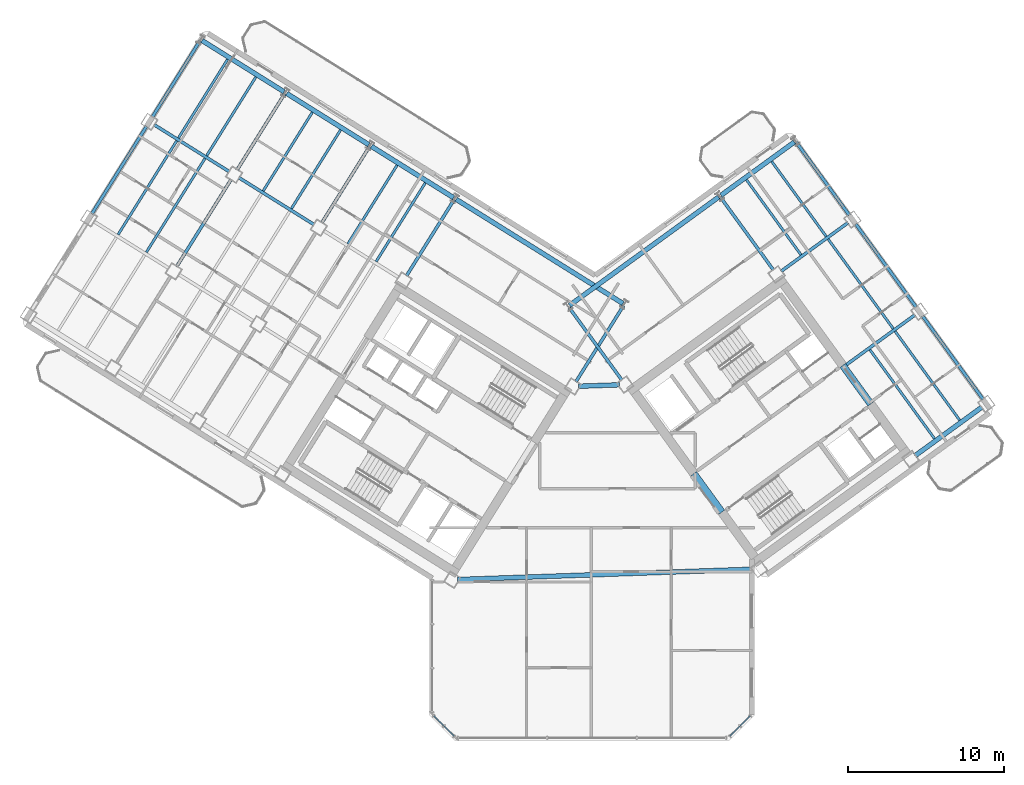
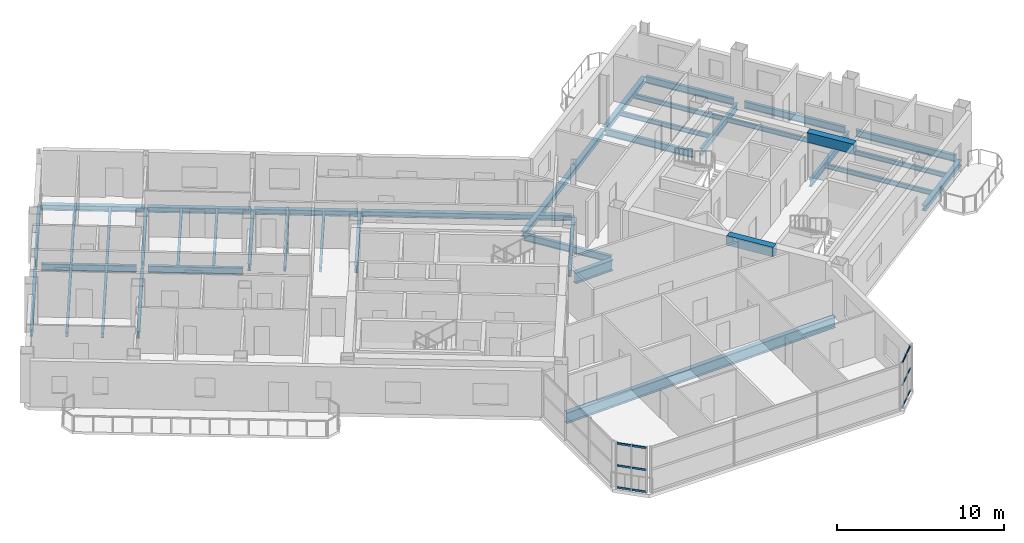
# One storey, part 7 of 20: 40 beams, 12 members, 2 elements without a shape of their own.
"""IFC4 building model written with IfcOpenShell, lengths in metres."""

from ifc_helpers import new_model, si_unit, direction, frame, origin, origin_2d, place, context, subcontext, project, spatial, rectangle, hollow_rectangle, i_section, extrude, source, transform, mapped, material, material_profile, profile_set, type_object, element, aggregate, save


model = new_model("IFC4")

# Units and contexts
model_context = context("Model", 3, precision=1e-05, world=origin(), true_north=direction((0.0, 1.0)))
body_context = subcontext(model_context, "Body", "Model", "MODEL_VIEW")
ifc_project = project(units=[si_unit("LENGTHUNIT", "METRE"), si_unit("AREAUNIT", "SQUARE_METRE"), si_unit("VOLUMEUNIT", "CUBIC_METRE"), si_unit("PLANEANGLEUNIT", "RADIAN"), si_unit("MASSUNIT", "GRAM", prefix="KILO")], contexts=[model_context])

# Site, building, storey
site_placement = place(None, origin())
site = spatial("IfcSite", under=ifc_project, at=site_placement, CompositionType="ELEMENT")
building_placement = place(site_placement, origin())
building = spatial("IfcBuilding", under=site, at=building_placement, Name="Tlacorven Tower", CompositionType="ELEMENT")
storey_placement = place(building_placement, frame((0.0, 0.0, 187.800048828125)))
storey = spatial("IfcBuildingStorey", under=building, at=storey_placement, Name="L47", CompositionType="ELEMENT", Elevation=187.800048828125)

# Beams
ifc_material_1 = material(Name="Concrete C60/75", Category="concrete")
ifc_material_profile_1 = material_profile(ifc_material_1, rectangle(XDim=0.449951171875, YDim=0.699951171875, at=origin_2d()), Name="RC 450X700")
ifc_profile_set_1 = profile_set([ifc_material_profile_1], Name="Concrete C60/75")
beam_type_1 = type_object("IfcBeamType", Name="BM-LNT-700", PredefinedType="LINTEL", material=ifc_profile_set_1)
shared_shape_1 = source(origin(), body_context, "Body", "SweptSolid", [
    extrude(rectangle(XDim=0.449951171875, YDim=0.699951171875, at=origin_2d()), origin(), (0.0, 0.0, 1.0), 3.050048828125),
])
for number, where, z_axis, x_axis, name in (
    (1, (50.318359375, 16.416015625, 3.0), (-0.587776590479, 0.80902328748, 0.0), (-0.80902328748, -0.587776590479, 0.0), "L47 E core coupling lintel beam E1"),
    (2, (59.856689453125, 23.345947265625, 3.0), (-0.587776590479, 0.80902328748, 0.0), (-0.80902328748, -0.587776590479, 0.0), "L47 E core coupling lintel beam E2"),
):
    element("IfcBeam", number, at=place(storey_placement, frame(where, z_axis=z_axis, x_axis=x_axis)), inside=storey, type_object=beam_type_1, Name=name, PredefinedType="LINTEL", context=body_context, shape_type="MappedRepresentation", body=[
        mapped(shared_shape_1, transform((0.0, 0.0, 0.0), scale=1.0)),
    ])
ifc_material_2 = material(Name="Steel S355J2", Category="steel")
ifc_material_profile_2 = material_profile(ifc_material_2, i_section(OverallWidth=0.300048828125, OverallDepth=0.800048828125, WebThickness=0.017578125, FlangeThickness=0.032958984375, at=origin_2d()), Name="HEB 800")
ifc_profile_set_2 = profile_set([ifc_material_profile_2], Name="Steel S355J2")
beam_type_2 = type_object("IfcBeamType", Name="BM-POD-800", PredefinedType="BEAM", material=ifc_profile_set_2)
shared_shape_2 = source(origin(), body_context, "Body", "SweptSolid", [
    extrude(i_section(OverallWidth=0.300048828125, OverallDepth=0.800048828125, WebThickness=0.017578125, FlangeThickness=0.032958984375, at=origin_2d()), origin(), (0.0, 0.0, 1.0), 2.642822265625),
])
beam_1_placement = place(storey_placement, frame((41.1328125, 24.480712890625, -0.650146484375), z_axis=(0.999393314814, 0.034828182629, 0.0), x_axis=(-0.034828182629, 0.999393314814, 0.0)))
element("IfcBeam", 3, at=beam_1_placement, inside=storey, type_object=beam_type_2, Name="L47 Knuckle Link Girder 1", PredefinedType="BEAM", context=body_context, shape_type="MappedRepresentation", body=[
    mapped(shared_shape_2, transform((0.0, 0.0, 0.0), scale=1.0)),
])
ifc_material_profile_3 = material_profile(ifc_material_2, i_section(OverallWidth=0.199951171875, OverallDepth=0.5, WebThickness=0.01025390625, FlangeThickness=0.01611328125, at=origin_2d()), Name="IPE 500")
ifc_profile_set_3 = profile_set([ifc_material_profile_3], Name="Steel S355J2")
beam_type_3 = type_object("IfcBeamType", Name="BM-TWR-500", PredefinedType="BEAM", material=ifc_profile_set_3)
shared_shape_3 = source(origin(), body_context, "Body", "SweptSolid", [
    extrude(i_section(OverallWidth=0.199951171875, OverallDepth=0.5, WebThickness=0.01025390625, FlangeThickness=0.01611328125, at=origin_2d()), origin(), (0.0, 0.0, 1.0), 5.7001953125),
])
for number, where, z_axis, x_axis, name in (
    (4, (24.20361328125, 34.828369140625, -0.5), (-0.848056048787, 0.529906537151, 0.0), (-0.529906537151, -0.848056048787, 0.0), "L47 beam BM-L47-WL2-4"),
    (5, (18.776123046875, 38.2197265625, -0.5), (-0.848056048787, 0.529906537151, 0.0), (-0.529906537151, -0.848056048787, 0.0), "L47 beam BM-L47-WL2-5"),
):
    element("IfcBeam", number, at=place(storey_placement, frame(where, z_axis=z_axis, x_axis=x_axis)), inside=storey, type_object=beam_type_3, Name=name, PredefinedType="BEAM", context=body_context, shape_type="MappedRepresentation", body=[
        mapped(shared_shape_3, transform((0.0, 0.0, 0.0), scale=1.0)),
    ])
shared_shape_4 = source(origin(), body_context, "Body", "SweptSolid", [
    extrude(i_section(OverallWidth=0.199951171875, OverallDepth=0.5, WebThickness=0.01025390625, FlangeThickness=0.01611328125, at=origin_2d()), origin(), (0.0, 0.0, 1.0), 5.75),
])
for number, where, z_axis, x_axis, name in (
    (6, (44.015380859375, 29.6416015625, -0.5), (-0.529884439831, -0.848069855864, 0.0), (0.848069855864, -0.529884439831, 0.0), "L47 beam BM-L47-WT1-1"),
    (7, (33.160400390625, 36.424560546875, -0.5), (-0.529884439831, -0.848069855864, 0.0), (0.848069855864, -0.529884439831, 0.0), "L47 beam BM-L47-WT3-1"),
    (8, (27.73291015625, 39.81591796875, -0.5), (-0.529934056882, -0.848038852504, 0.0), (0.848038852504, -0.529934056882, 0.0), "L47 beam BM-L47-WT4-1"),
    (9, (16.8779296875, 46.598876953125, -0.5), (-0.529934056882, -0.848038852504, 0.0), (0.848038852504, -0.529934056882, 0.0), "L47 beam BM-L47-WT6-1"),
    (10, (43.91796875, 24.8681640625, -0.5), (-0.587770208527, 0.809027924097, 0.0), (-0.809027924097, -0.587770208527, 0.0), "L47 beam BM-L47-ET1-2"),
    (11, (53.626220703125, 31.921630859375, -0.5), (-0.587770208527, 0.809027924097, 0.0), (-0.809027924097, -0.587770208527, 0.0), "L47 beam BM-L47-ET3-2"),
    (12, (58.480224609375, 35.4482421875, -0.5), (-0.587770208527, 0.809027924097, 0.0), (-0.809027924097, -0.587770208527, 0.0), "L47 beam BM-L47-ET4-3"),
):
    element("IfcBeam", number, at=place(storey_placement, frame(where, z_axis=z_axis, x_axis=x_axis)), inside=storey, type_object=beam_type_3, Name=name, PredefinedType="BEAM", context=body_context, shape_type="MappedRepresentation", body=[
        mapped(shared_shape_4, transform((0.0, 0.0, 0.0), scale=1.0)),
    ])
shared_shape_5 = source(origin(), body_context, "Body", "SweptSolid", [
    extrude(i_section(OverallWidth=0.199951171875, OverallDepth=0.5, WebThickness=0.01025390625, FlangeThickness=0.01611328125, at=origin_2d()), origin(), (0.0, 0.0, 1.0), 6.599853515625),
])
beam_2_placement = place(storey_placement, frame((13.4599609375, 41.12890625, -0.5), z_axis=(-0.529942412256, -0.848033631227, 0.0), x_axis=(0.848033631227, -0.529942412256, 0.0)))
element("IfcBeam", 13, at=beam_2_placement, inside=storey, type_object=beam_type_3, Name="L47 beam BM-L47-WT6-2", PredefinedType="BEAM", context=body_context, shape_type="MappedRepresentation", body=[
    mapped(shared_shape_5, transform((0.0, 0.0, 0.0), scale=1.0)),
])
shared_shape_6 = source(origin(), body_context, "Body", "SweptSolid", [
    extrude(i_section(OverallWidth=0.199951171875, OverallDepth=0.5, WebThickness=0.01025390625, FlangeThickness=0.01611328125, at=origin_2d()), origin(), (0.0, 0.0, 1.0), 6.60009765625),
])
for number, where, z_axis, x_axis, name in (
    (14, (18.887451171875, 37.737548828125, -0.5), (-0.529925788294, -0.848044019436, 0.0), (0.848044019436, -0.529925788294, 0.0), "L47 beam BM-L47-WT5-2"),
    (15, (67.06201171875, 23.63671875, -0.5), (-0.587780128583, 0.809020716943, 0.0), (-0.809020716943, -0.587780128583, 0.0), "L47 beam BM-L47-ET4-1"),
    (16, (62.771240234375, 29.54248046875, -0.5), (-0.587780128583, 0.809020716943, 0.0), (-0.809020716943, -0.587780128583, 0.0), "L47 beam BM-L47-ET4-2"),
):
    element("IfcBeam", number, at=place(storey_placement, frame(where, z_axis=z_axis, x_axis=x_axis)), inside=storey, type_object=beam_type_3, Name=name, PredefinedType="BEAM", context=body_context, shape_type="MappedRepresentation", body=[
        mapped(shared_shape_6, transform((0.0, 0.0, 0.0), scale=1.0)),
    ])
shared_shape_7 = source(origin(), body_context, "Body", "SweptSolid", [
    extrude(i_section(OverallWidth=0.199951171875, OverallDepth=0.5, WebThickness=0.01025390625, FlangeThickness=0.01611328125, at=origin_2d()), origin(), (0.0, 0.0, 1.0), 5.750244140625),
])
beam_3_placement = place(storey_placement, frame((22.305419921875, 43.20751953125, -0.5), z_axis=(-0.529914976044, -0.848050775699, 0.0), x_axis=(0.848050775699, -0.529914976044, 0.0)))
element("IfcBeam", 17, at=beam_3_placement, inside=storey, type_object=beam_type_3, Name="L47 beam BM-L47-WT5-1", PredefinedType="BEAM", context=body_context, shape_type="MappedRepresentation", body=[
    mapped(shared_shape_7, transform((0.0, 0.0, 0.0), scale=1.0)),
])
shared_shape_8 = source(origin(), body_context, "Body", "SweptSolid", [
    extrude(i_section(OverallWidth=0.199951171875, OverallDepth=0.5, WebThickness=0.01025390625, FlangeThickness=0.01611328125, at=origin_2d()), origin(), (0.0, 0.0, 1.0), 5.300048828125),
])
beam_4_placement = place(storey_placement, frame((54.114990234375, 31.84423828125, -0.5), z_axis=(0.809022830186, 0.587777219904, 0.0), x_axis=(-0.587777219904, 0.809022830186, 0.0)))
element("IfcBeam", 18, at=beam_4_placement, inside=storey, type_object=beam_type_3, Name="L47 beam BM-L47-EL3-3", PredefinedType="BEAM", context=body_context, shape_type="MappedRepresentation", body=[
    mapped(shared_shape_8, transform((0.0, 0.0, 0.0), scale=1.0)),
])
shared_shape_9 = source(origin(), body_context, "Body", "SweptSolid", [
    extrude(i_section(OverallWidth=0.199951171875, OverallDepth=0.5, WebThickness=0.01025390625, FlangeThickness=0.01611328125, at=origin_2d()), origin(), (0.0, 0.0, 1.0), 5.6103515625),
])
beam_5_placement = place(storey_placement, frame((58.155029296875, 25.756103515625, -0.5), z_axis=(0.809020142627, 0.587780919071, 0.0), x_axis=(-0.587780919071, 0.809020142627, 0.0)))
element("IfcBeam", 19, at=beam_5_placement, inside=storey, type_object=beam_type_3, Name="L47 beam BM-L47-EL2-3", PredefinedType="BEAM", context=body_context, shape_type="MappedRepresentation", body=[
    mapped(shared_shape_9, transform((0.0, 0.0, 0.0), scale=1.0)),
])
shared_shape_10 = source(origin(), body_context, "Body", "SweptSolid", [
    extrude(i_section(OverallWidth=0.300048828125, OverallDepth=0.800048828125, WebThickness=0.017578125, FlangeThickness=0.032958984375, at=origin_2d()), origin(), (0.0, 0.0, 1.0), 18.97119140625),
])
beam_6_placement = place(storey_placement, frame((33.39599609375, 12.09912109375, -0.650146484375), z_axis=(0.999390787537, 0.034900627304, 0.0), x_axis=(-0.034900627304, 0.999390787537, 0.0)))
element("IfcBeam", 20, at=beam_6_placement, inside=storey, type_object=beam_type_2, Name="L47 Knuckle Link Girder 2", PredefinedType="BEAM", context=body_context, shape_type="MappedRepresentation", body=[
    mapped(shared_shape_10, transform((0.0, 0.0, 0.0), scale=1.0)),
])
ifc_material_profile_4 = material_profile(ifc_material_2, i_section(OverallWidth=0.159912109375, OverallDepth=0.330078125, WebThickness=0.007568359375, FlangeThickness=0.011474609375, at=origin_2d()), Name="IPE 330")
ifc_profile_set_4 = profile_set([ifc_material_profile_4], Name="Steel S355J2")
beam_type_4 = type_object("IfcBeamType", Name="BM-JST-330", PredefinedType="JOIST", material=ifc_profile_set_4)
shared_shape_11 = source(origin(), body_context, "Body", "SweptSolid", [
    extrude(i_section(OverallWidth=0.159912109375, OverallDepth=0.330078125, WebThickness=0.007568359375, FlangeThickness=0.011474609375, at=origin_2d()), origin(), (0.0, 0.0, 1.0), 7.0400390625),
])
beam_7_placement = place(storey_placement, frame((63.9404296875, 21.127685546875, -0.4150390625), z_axis=(-0.587773661987, 0.809025415098, 0.0), x_axis=(-0.809025415098, -0.587773661987, 0.0)))
element("IfcBeam", 21, at=beam_7_placement, inside=storey, type_object=beam_type_4, Name="L47 beam BM-L47-EJ3-1-1", PredefinedType="JOIST", context=body_context, shape_type="MappedRepresentation", body=[
    mapped(shared_shape_11, transform((0.0, 0.0, 0.0), scale=1.0)),
])
shared_shape_12 = source(origin(), body_context, "Body", "SweptSolid", [
    extrude(i_section(OverallWidth=0.159912109375, OverallDepth=0.330078125, WebThickness=0.007568359375, FlangeThickness=0.011474609375, at=origin_2d()), origin(), (0.0, 0.0, 1.0), 5.940185546875),
])
for number, where, z_axis, x_axis, name in (
    (22, (29.512939453125, 38.638916015625, -0.4150390625), (-0.529902882565, -0.848058332339, 0.0), (0.848058332339, -0.529902882565, 0.0), "L47 beam BM-L47-WJ3-1-2"),
    (23, (25.894775390625, 40.899658203125, -0.4150390625), (-0.529950911506, -0.848028319924, 0.0), (0.848028319924, -0.529950911506, 0.0), "L47 beam BM-L47-WJ4-1-1"),
    (24, (18.657958984375, 45.421875, -0.4150390625), (-0.529902882565, -0.848058332339, 0.0), (0.848058332339, -0.529902882565, 0.0), "L47 beam BM-L47-WJ5-1-2"),
    (25, (55.38818359375, 32.89892578125, -0.4150390625), (-0.587778174144, 0.809022136903, 0.0), (-0.809022136903, -0.587778174144, 0.0), "L47 beam BM-L47-EJ3-3-1"),
    (26, (57.00634765625, 34.074462890625, -0.4150390625), (-0.587778174144, 0.809022136903, 0.0), (-0.809022136903, -0.587778174144, 0.0), "L47 beam BM-L47-EJ3-3-2"),
):
    element("IfcBeam", number, at=place(storey_placement, frame(where, z_axis=z_axis, x_axis=x_axis)), inside=storey, type_object=beam_type_4, Name=name, PredefinedType="JOIST", context=body_context, shape_type="MappedRepresentation", body=[
        mapped(shared_shape_12, transform((0.0, 0.0, 0.0), scale=1.0)),
    ])
shared_shape_13 = source(origin(), body_context, "Body", "SweptSolid", [
    extrude(i_section(OverallWidth=0.159912109375, OverallDepth=0.330078125, WebThickness=0.007568359375, FlangeThickness=0.011474609375, at=origin_2d()), origin(), (0.0, 0.0, 1.0), 7.090087890625),
])
for number, where, z_axis, x_axis, name in (
    (27, (17.208251953125, 39.07568359375, -0.4150390625), (-0.529937035031, -0.848036991471, 0.0), (0.848036991471, -0.529937035031, 0.0), "L47 beam BM-L47-WJ5-2-1"),
    (28, (15.39892578125, 40.206298828125, -0.4150390625), (-0.529912270669, -0.84805246618, 0.0), (0.84805246618, -0.529912270669, 0.0), "L47 beam BM-L47-WJ5-2-2"),
    (29, (61.297119140625, 28.168701171875, -0.4150390625), (-0.587782622309, 0.809018905164, 0.0), (-0.809018905164, -0.587782622309, 0.0), "L47 beam BM-L47-EJ3-2-2"),
):
    element("IfcBeam", number, at=place(storey_placement, frame(where, z_axis=z_axis, x_axis=x_axis)), inside=storey, type_object=beam_type_4, Name=name, PredefinedType="JOIST", context=body_context, shape_type="MappedRepresentation", body=[
        mapped(shared_shape_13, transform((0.0, 0.0, 0.0), scale=1.0)),
    ])
shared_shape_14 = source(origin(), body_context, "Body", "SweptSolid", [
    extrude(i_section(OverallWidth=0.159912109375, OverallDepth=0.330078125, WebThickness=0.007568359375, FlangeThickness=0.011474609375, at=origin_2d()), origin(), (0.0, 0.0, 1.0), 5.93994140625),
])
for number, where, z_axis, x_axis, name in (
    (30, (31.322265625, 37.50830078125, -0.4150390625), (-0.529921352973, -0.848046790963, 0.0), (0.848046790963, -0.529921352973, 0.0), "L47 beam BM-L47-WJ3-1-1"),
    (31, (24.08544921875, 42.0302734375, -0.4150390625), (-0.529921352973, -0.848046790963, 0.0), (0.848046790963, -0.529921352973, 0.0), "L47 beam BM-L47-WJ4-1-2"),
    (32, (20.467041015625, 44.291259765625, -0.4150390625), (-0.529921352973, -0.848046790963, 0.0), (0.848046790963, -0.529921352973, 0.0), "L47 beam BM-L47-WJ5-1-1"),
):
    element("IfcBeam", number, at=place(storey_placement, frame(where, z_axis=z_axis, x_axis=x_axis)), inside=storey, type_object=beam_type_4, Name=name, PredefinedType="JOIST", context=body_context, shape_type="MappedRepresentation", body=[
        mapped(shared_shape_14, transform((0.0, 0.0, 0.0), scale=1.0)),
    ])
shared_shape_15 = source(origin(), body_context, "Body", "SweptSolid", [
    extrude(i_section(OverallWidth=0.159912109375, OverallDepth=0.330078125, WebThickness=0.007568359375, FlangeThickness=0.011474609375, at=origin_2d()), origin(), (0.0, 0.0, 1.0), 7.039794921875),
])
beam_8_placement = place(storey_placement, frame((65.55859375, 22.303466796875, -0.4150390625), z_axis=(-0.587790152999, 0.809013433781, 0.0), x_axis=(-0.809013433781, -0.587790152999, 0.0)))
element("IfcBeam", 33, at=beam_8_placement, inside=storey, type_object=beam_type_4, Name="L47 beam BM-L47-EJ3-1-2", PredefinedType="JOIST", context=body_context, shape_type="MappedRepresentation", body=[
    mapped(shared_shape_15, transform((0.0, 0.0, 0.0), scale=1.0)),
])
ifc_material_profile_5 = material_profile(ifc_material_2, i_section(OverallWidth=0.300048828125, OverallDepth=0.389892578125, WebThickness=0.010986328125, FlangeThickness=0.01904296875, at=origin_2d()), Name="HEA 400")
ifc_profile_set_5 = profile_set([ifc_material_profile_5], Name="Steel S355J2")
beam_type_5 = type_object("IfcBeamType", Name="BM-SPN-400", PredefinedType="SPANDREL", material=ifc_profile_set_5)
shared_shape_16 = source(origin(), body_context, "Body", "SweptSolid", [
    extrude(i_section(OverallWidth=0.300048828125, OverallDepth=0.389892578125, WebThickness=0.010986328125, FlangeThickness=0.01904296875, at=origin_2d()), origin(), (0.0, 0.0, 1.0), 12.599853515625),
])
beam_9_placement = place(storey_placement, frame((43.983642578125, 29.779296875, -0.445068359375), z_axis=(-0.848045108756, 0.529924045043, 0.0), x_axis=(-0.529924045043, -0.848045108756, 0.0)))
element("IfcBeam", 34, at=beam_9_placement, inside=storey, type_object=beam_type_5, Name="L47 beam BM-L47-WL1-1", PredefinedType="SPANDREL", context=body_context, shape_type="MappedRepresentation", body=[
    mapped(shared_shape_16, transform((0.0, 0.0, 0.0), scale=1.0)),
])
shared_shape_17 = source(origin(), body_context, "Body", "SweptSolid", [
    extrude(i_section(OverallWidth=0.300048828125, OverallDepth=0.389892578125, WebThickness=0.010986328125, FlangeThickness=0.01904296875, at=origin_2d()), origin(), (0.0, 0.0, 1.0), 6.199951171875),
])
beam_10_placement = place(storey_placement, frame((33.128662109375, 36.562255859375, -0.445068359375), z_axis=(-0.848051394107, 0.529913986372, 0.0), x_axis=(-0.529913986372, -0.848051394107, 0.0)))
element("IfcBeam", 35, at=beam_10_placement, inside=storey, type_object=beam_type_5, Name="L47 beam BM-L47-WL1-3", PredefinedType="SPANDREL", context=body_context, shape_type="MappedRepresentation", body=[
    mapped(shared_shape_17, transform((0.0, 0.0, 0.0), scale=1.0)),
])
shared_shape_18 = source(origin(), body_context, "Body", "SweptSolid", [
    extrude(i_section(OverallWidth=0.300048828125, OverallDepth=0.389892578125, WebThickness=0.010986328125, FlangeThickness=0.01904296875, at=origin_2d()), origin(), (0.0, 0.0, 1.0), 6.2001953125),
])
for number, where, z_axis, x_axis, name in (
    (36, (27.701171875, 39.95361328125, -0.445068359375), (-0.84804475579, 0.5299246099, 0.0), (-0.5299246099, -0.84804475579, 0.0), "L47 beam BM-L47-WL1-4"),
    (37, (22.273681640625, 43.34521484375, -0.445068359375), (-0.848062451332, 0.529896290457, 0.0), (-0.529896290457, -0.848062451332, 0.0), "L47 beam BM-L47-WL1-5"),
):
    element("IfcBeam", number, at=place(storey_placement, frame(where, z_axis=z_axis, x_axis=x_axis)), inside=storey, type_object=beam_type_5, Name=name, PredefinedType="SPANDREL", context=body_context, shape_type="MappedRepresentation", body=[
        mapped(shared_shape_18, transform((0.0, 0.0, 0.0), scale=1.0)),
    ])
shared_shape_19 = source(origin(), body_context, "Body", "SweptSolid", [
    extrude(i_section(OverallWidth=0.300048828125, OverallDepth=0.389892578125, WebThickness=0.010986328125, FlangeThickness=0.01904296875, at=origin_2d()), origin(), (0.0, 0.0, 1.0), 5.300048828125),
])
beam_11_placement = place(storey_placement, frame((62.69677734375, 20.032470703125, -0.445068359375), z_axis=(0.809022830186, 0.587777219904, 0.0), x_axis=(-0.587777219904, 0.809022830186, 0.0)))
element("IfcBeam", 38, at=beam_11_placement, inside=storey, type_object=beam_type_5, Name="L47 beam BM-L47-EL1-3", PredefinedType="SPANDREL", context=body_context, shape_type="MappedRepresentation", body=[
    mapped(shared_shape_19, transform((0.0, 0.0, 0.0), scale=1.0)),
])
shared_shape_20 = source(origin(), body_context, "Body", "SweptSolid", [
    extrude(i_section(OverallWidth=0.300048828125, OverallDepth=0.389892578125, WebThickness=0.010986328125, FlangeThickness=0.01904296875, at=origin_2d()), origin(), (0.0, 0.0, 1.0), 11.800048828125),
])
beam_12_placement = place(storey_placement, frame((40.560302734375, 29.65966796875, -0.445068359375), z_axis=(0.80900977213, 0.587795192732, 0.0), x_axis=(-0.587795192732, 0.80900977213, 0.0)))
element("IfcBeam", 39, at=beam_12_placement, inside=storey, type_object=beam_type_5, Name="L47 beam BM-L47-EL4-1", PredefinedType="SPANDREL", context=body_context, shape_type="MappedRepresentation", body=[
    mapped(shared_shape_20, transform((0.0, 0.0, 0.0), scale=1.0)),
])
shared_shape_21 = source(origin(), body_context, "Body", "SweptSolid", [
    extrude(i_section(OverallWidth=0.300048828125, OverallDepth=0.389892578125, WebThickness=0.010986328125, FlangeThickness=0.01904296875, at=origin_2d()), origin(), (0.0, 0.0, 1.0), 5.800048828125),
])
beam_13_placement = place(storey_placement, frame((50.2685546875, 36.713134765625, -0.445068359375), z_axis=(0.809019944521, 0.587781191743, 0.0), x_axis=(-0.587781191743, 0.809019944521, 0.0)))
element("IfcBeam", 40, at=beam_13_placement, inside=storey, type_object=beam_type_5, Name="L47 beam BM-L47-EL4-3", PredefinedType="SPANDREL", context=body_context, shape_type="MappedRepresentation", body=[
    mapped(shared_shape_21, transform((0.0, 0.0, 0.0), scale=1.0)),
])

# Curtain wall, members
ifc_material_3 = material(Name="Dark solar low-E double glazing in aluminium frame", Category="aluminium")
curtain_wall_type = type_object("IfcCurtainWallType", Name="CW-TWR-MID", PredefinedType="USERDEFINED", material=ifc_material_3)
curtain_wall_1_placement = place(storey_placement, origin())
curtain_wall_1 = element("IfcCurtainWall", 41, at=curtain_wall_1_placement, inside=storey, type_object=curtain_wall_type, Name="L47 CW-TWR-MID Curtain Wall 216", ObjectType="UNITISED CURTAIN WALL", PredefinedType="USERDEFINED")
ifc_material_4 = material(Name="Aluminium 6063-T6 anodised", Category="aluminium")
ifc_material_profile_6 = material_profile(ifc_material_4, hollow_rectangle(XDim=0.06005859375, YDim=0.139892578125, WallThickness=0.00390625, at=origin_2d()), Name="ALU TRANSOM 60X140")
ifc_profile_set_6 = profile_set([ifc_material_profile_6], Name="Aluminium 6063-T6 anodised")
member_type = type_object("IfcMemberType", Name="CWT-02", PredefinedType="USERDEFINED", material=ifc_profile_set_6)
shared_shape_22 = source(origin(), body_context, "Body", "SweptSolid", [
    extrude(hollow_rectangle(XDim=0.06005859375, YDim=0.139892578125, WallThickness=0.00390625, at=origin_2d()), origin(), (0.0, 0.0, 1.0), 0.8916015625),
])
member_1_placement = place(storey_placement, frame((52.1318359375, 3.358154296875, 0.070068359375), z_axis=(-0.706969864397, -0.70724367147, 0.0), x_axis=(0.70724367147, -0.706969864397, 0.0)))
member_1 = element("IfcMember", 42, at=member_1_placement, type_object=member_type, Name="CW-L47-216 Transom 1", ObjectType="TRANSOM", PredefinedType="USERDEFINED", context=body_context, shape_type="MappedRepresentation", body=[
    mapped(shared_shape_22, transform((0.0, 0.0, 0.0), scale=1.0)),
])
member_2_placement = place(storey_placement, frame((52.1318359375, 3.358154296875, 1.675048828125), z_axis=(-0.706969864397, -0.70724367147, 0.0), x_axis=(0.70724367147, -0.706969864397, 0.0)))
member_2 = element("IfcMember", 43, at=member_2_placement, type_object=member_type, Name="CW-L47-216 Transom 2", ObjectType="TRANSOM", PredefinedType="USERDEFINED", context=body_context, shape_type="MappedRepresentation", body=[
    mapped(shared_shape_22, transform((0.0, 0.0, 0.0), scale=1.0)),
])
member_3_placement = place(storey_placement, frame((52.1318359375, 3.358154296875, 3.280029296875), z_axis=(-0.706969864397, -0.70724367147, 0.0), x_axis=(0.70724367147, -0.706969864397, 0.0)))
member_3 = element("IfcMember", 44, at=member_3_placement, type_object=member_type, Name="CW-L47-216 Transom 3", ObjectType="TRANSOM", PredefinedType="USERDEFINED", context=body_context, shape_type="MappedRepresentation", body=[
    mapped(shared_shape_22, transform((0.0, 0.0, 0.0), scale=1.0)),
])

curtain_wall_2_placement = place(storey_placement, origin())
curtain_wall_2 = element("IfcCurtainWall", 45, at=curtain_wall_2_placement, inside=storey, type_object=curtain_wall_type, Name="L47 CW-TWR-MID Curtain Wall 218", ObjectType="UNITISED CURTAIN WALL", PredefinedType="USERDEFINED")
member_4_placement = place(storey_placement, frame((32.49853515625, 2.7275390625, 0.070068359375), z_axis=(-0.706969864397, 0.70724367147, 0.0), x_axis=(-0.70724367147, -0.706969864397, 0.0)))
member_4 = element("IfcMember", 46, at=member_4_placement, type_object=member_type, Name="CW-L47-218 Transom 4", ObjectType="TRANSOM", PredefinedType="USERDEFINED", context=body_context, shape_type="MappedRepresentation", body=[
    mapped(shared_shape_22, transform((0.0, 0.0, 0.0), scale=1.0)),
])
member_5_placement = place(storey_placement, frame((32.49853515625, 2.7275390625, 1.675048828125), z_axis=(-0.706969864397, 0.70724367147, 0.0), x_axis=(-0.70724367147, -0.706969864397, 0.0)))
member_5 = element("IfcMember", 47, at=member_5_placement, type_object=member_type, Name="CW-L47-218 Transom 5", ObjectType="TRANSOM", PredefinedType="USERDEFINED", context=body_context, shape_type="MappedRepresentation", body=[
    mapped(shared_shape_22, transform((0.0, 0.0, 0.0), scale=1.0)),
])
member_6_placement = place(storey_placement, frame((32.49853515625, 2.7275390625, 3.280029296875), z_axis=(-0.706969864397, 0.70724367147, 0.0), x_axis=(-0.70724367147, -0.706969864397, 0.0)))
member_6 = element("IfcMember", 48, at=member_6_placement, type_object=member_type, Name="CW-L47-218 Transom 6", ObjectType="TRANSOM", PredefinedType="USERDEFINED", context=body_context, shape_type="MappedRepresentation", body=[
    mapped(shared_shape_22, transform((0.0, 0.0, 0.0), scale=1.0)),
])

# Member
shared_shape_23 = source(origin(), body_context, "Body", "SweptSolid", [
    extrude(hollow_rectangle(XDim=0.06005859375, YDim=0.139892578125, WallThickness=0.00390625, at=origin_2d()), origin(), (0.0, 0.0, 1.0), 0.891845703125),
])
member_7_placement = place(storey_placement, frame((51.472412109375, 2.69873046875, 0.070068359375), z_axis=(-0.707106781187, -0.707106781187, 0.0), x_axis=(0.707106781187, -0.707106781187, 0.0)))
member_7 = element("IfcMember", 49, at=member_7_placement, type_object=member_type, Name="CW-L47-216 Transom 4", ObjectType="TRANSOM", PredefinedType="USERDEFINED", context=body_context, shape_type="MappedRepresentation", body=[
    mapped(shared_shape_23, transform((0.0, 0.0, 0.0), scale=1.0)),
])

member_8_placement = place(storey_placement, frame((51.472412109375, 2.69873046875, 1.675048828125), z_axis=(-0.707106781187, -0.707106781187, 0.0), x_axis=(0.707106781187, -0.707106781187, 0.0)))
member_8 = element("IfcMember", 50, at=member_8_placement, type_object=member_type, Name="CW-L47-216 Transom 5", ObjectType="TRANSOM", PredefinedType="USERDEFINED", context=body_context, shape_type="MappedRepresentation", body=[
    mapped(shared_shape_23, transform((0.0, 0.0, 0.0), scale=1.0)),
])

member_9_placement = place(storey_placement, frame((51.472412109375, 2.69873046875, 3.280029296875), z_axis=(-0.707106781187, -0.707106781187, 0.0), x_axis=(0.707106781187, -0.707106781187, 0.0)))
member_9 = element("IfcMember", 51, at=member_9_placement, type_object=member_type, Name="CW-L47-216 Transom 6", ObjectType="TRANSOM", PredefinedType="USERDEFINED", context=body_context, shape_type="MappedRepresentation", body=[
    mapped(shared_shape_23, transform((0.0, 0.0, 0.0), scale=1.0)),
])

aggregate(curtain_wall_1, [member_1, member_2, member_3, member_7, member_8, member_9])

member_10_placement = place(storey_placement, frame((33.158203125, 2.068115234375, 0.070068359375), z_axis=(-0.707106781187, 0.707106781187, 0.0), x_axis=(-0.707106781187, -0.707106781187, 0.0)))
member_10 = element("IfcMember", 52, at=member_10_placement, type_object=member_type, Name="CW-L47-218 Transom 1", ObjectType="TRANSOM", PredefinedType="USERDEFINED", context=body_context, shape_type="MappedRepresentation", body=[
    mapped(shared_shape_23, transform((0.0, 0.0, 0.0), scale=1.0)),
])

member_11_placement = place(storey_placement, frame((33.158203125, 2.068115234375, 1.675048828125), z_axis=(-0.707106781187, 0.707106781187, 0.0), x_axis=(-0.707106781187, -0.707106781187, 0.0)))
member_11 = element("IfcMember", 53, at=member_11_placement, type_object=member_type, Name="CW-L47-218 Transom 2", ObjectType="TRANSOM", PredefinedType="USERDEFINED", context=body_context, shape_type="MappedRepresentation", body=[
    mapped(shared_shape_23, transform((0.0, 0.0, 0.0), scale=1.0)),
])

member_12_placement = place(storey_placement, frame((33.158203125, 2.068115234375, 3.280029296875), z_axis=(-0.707106781187, 0.707106781187, 0.0), x_axis=(-0.707106781187, -0.707106781187, 0.0)))
member_12 = element("IfcMember", 54, at=member_12_placement, type_object=member_type, Name="CW-L47-218 Transom 3", ObjectType="TRANSOM", PredefinedType="USERDEFINED", context=body_context, shape_type="MappedRepresentation", body=[
    mapped(shared_shape_23, transform((0.0, 0.0, 0.0), scale=1.0)),
])

aggregate(curtain_wall_2, [member_10, member_11, member_12, member_4, member_5, member_6])

save(model, "model.ifc")
